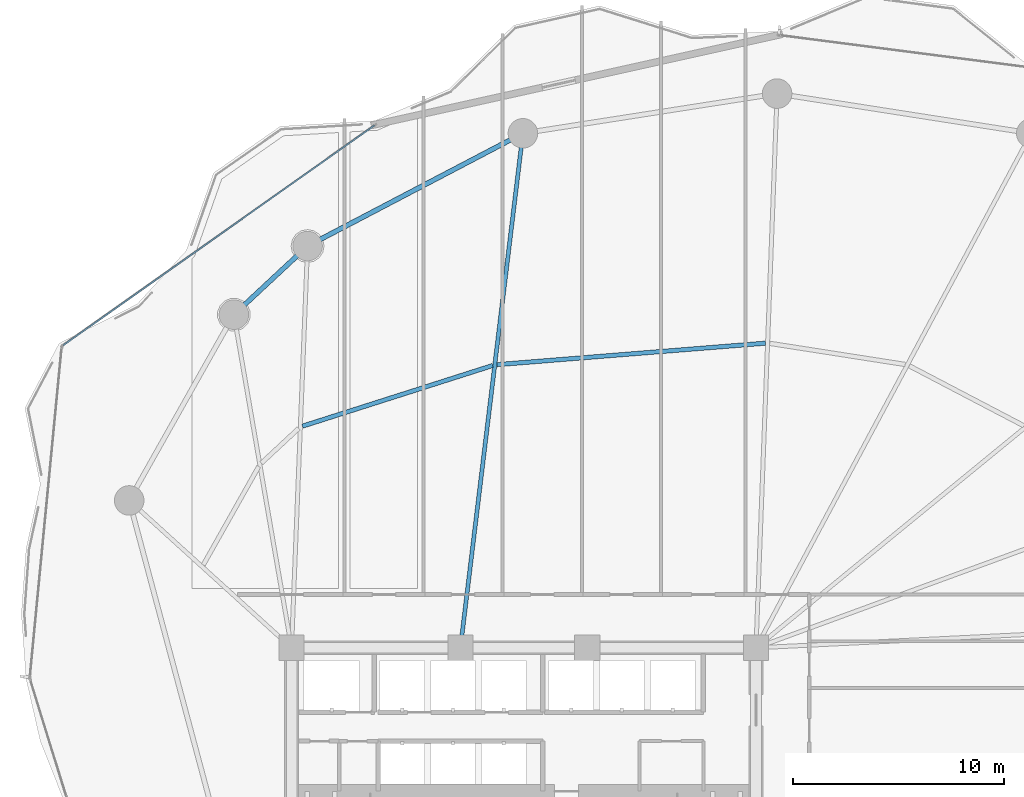
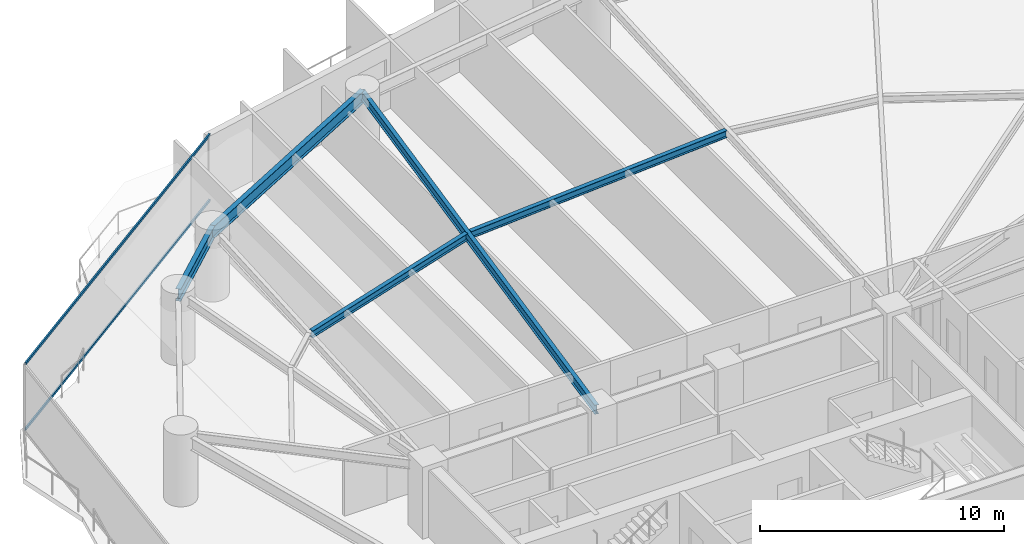
# One storey, part 16 of 32: 5 beams, 2 members, 1 element without a shape of its own.
"""IFC4 building model written with IfcOpenShell, lengths in metres."""

from ifc_helpers import new_model, si_unit, direction, frame, origin, origin_2d, place, context, subcontext, project, spatial, hollow_rectangle, i_section, extrude, material, layer, layer_set, material_profile, profile_set, type_object, element, aggregate, save


model = new_model("IFC4")

# Units and contexts
model_context = context("Model", 3, precision=1e-05, world=origin(), true_north=direction((0.0, 1.0)))
body_context = subcontext(model_context, "Body", "Model", "MODEL_VIEW")
ifc_project = project(units=[si_unit("LENGTHUNIT", "METRE"), si_unit("AREAUNIT", "SQUARE_METRE"), si_unit("VOLUMEUNIT", "CUBIC_METRE"), si_unit("PLANEANGLEUNIT", "RADIAN"), si_unit("MASSUNIT", "GRAM", prefix="KILO")], contexts=[model_context])

# Site, building, storey
site_placement = place(None, origin())
site = spatial("IfcSite", under=ifc_project, at=site_placement, CompositionType="ELEMENT")
building_placement = place(site_placement, origin())
building = spatial("IfcBuilding", under=site, at=building_placement, Name="Kazevale Care Tower and Concert Hall", CompositionType="ELEMENT")
storey_placement = place(building_placement, frame((0.0, 0.0, 38.39990234375)))
storey = spatial("IfcBuildingStorey", under=building, at=storey_placement, Name="L09", CompositionType="ELEMENT", Elevation=38.39990234375)

# Curtain wall, members
ifc_material_1 = material(Name="Aluminium 6063-T6 and Low-E Glass", Category="aluminium")
ifc_layer = layer(ifc_material_1, 0.179931640625)
ifc_layer_set = layer_set([ifc_layer], Name="Aluminium 6063-T6 and Low-E Glass")
curtain_wall_type = type_object("IfcCurtainWallType", Name="Convex Recessed Sunroom Curtain Wall CW-3", PredefinedType="NOTDEFINED", material=ifc_layer_set)
curtain_wall_placement = place(storey_placement, origin())
curtain_wall = element("IfcCurtainWall", 1, at=curtain_wall_placement, inside=storey, type_object=curtain_wall_type, Name="cw:L09:f14", PredefinedType="NOTDEFINED")
ifc_material_2 = material(Name="Aluminium 6063-T6", Category="aluminium")
ifc_material_profile_1 = material_profile(ifc_material_2, hollow_rectangle(XDim=0.074951171875, YDim=0.1201171875, WallThickness=0.00390625, at=origin_2d()), Name="ALU75x120x4")
ifc_profile_set_1 = profile_set([ifc_material_profile_1], Name="Aluminium 6063-T6")
member_type = type_object("IfcMemberType", Name="CW-3 Transom ALU75x120x4", PredefinedType="USERDEFINED", material=ifc_profile_set_1)
member_1_placement = place(storey_placement, frame((11.182373046875, 50.729248046875, 0.03759765625), z_axis=(0.816794743967, 0.576928371835, 0.0), x_axis=(-0.576928371835, 0.816794743967, 0.0)))
member_1 = element("IfcMember", 2, at=member_1_placement, type_object=member_type, Name="CW-3 transom 1.1", ObjectType="TRANSOM", PredefinedType="USERDEFINED", context=body_context, shape_type="SweptSolid", body=[
    extrude(hollow_rectangle(XDim=0.074951171875, YDim=0.1201171875, WallThickness=0.00390625, at=origin_2d()), origin(), (0.0, 0.0, 1.0), 18.060302734375),
])
member_2_placement = place(storey_placement, frame((11.182373046875, 50.729248046875, 3.322509765625), z_axis=(0.816794743967, 0.576928371835, 0.0), x_axis=(-0.576928371835, 0.816794743967, 0.0)))
member_2 = element("IfcMember", 3, at=member_2_placement, type_object=member_type, Name="CW-3 transom 1.2", ObjectType="TRANSOM", PredefinedType="USERDEFINED", context=body_context, shape_type="SweptSolid", body=[
    extrude(hollow_rectangle(XDim=0.074951171875, YDim=0.1201171875, WallThickness=0.00390625, at=origin_2d()), origin(), (0.0, 0.0, 1.0), 18.060302734375),
])
aggregate(curtain_wall, [member_1, member_2])

# Beams
ifc_material_3 = material(Name="Steel ASTM A572 Gr 50", Category="steel")
ifc_material_profile_2 = material_profile(ifc_material_3, i_section(OverallWidth=0.19091796875, OverallDepth=0.4599609375, WebThickness=0.010009765625, FlangeThickness=0.01611328125, at=origin_2d()), Name="W460x82")
ifc_profile_set_2 = profile_set([ifc_material_profile_2], Name="Steel ASTM A572 Gr 50")
beam_type_1 = type_object("IfcBeamType", Name="Radial Floor Beam W460x82", PredefinedType="BEAM", material=ifc_profile_set_2)
beam_1_placement = place(storey_placement, frame((30.0, 36.39990234375, 3.130126953125), z_axis=(0.120572526662, 0.9927045209, 0.0), x_axis=(-0.9927045209, 0.120572526662, 0.0)))
element("IfcBeam", 4, at=beam_1_placement, inside=storey, type_object=beam_type_1, Name="beam:L09:rad:06", PredefinedType="BEAM", context=body_context, shape_type="SweptSolid", body=[
    extrude(i_section(OverallWidth=0.19091796875, OverallDepth=0.4599609375, WebThickness=0.010009765625, FlangeThickness=0.01611328125, at=origin_2d()), origin(), (0.0, 0.0, 1.0), 24.54931640625),
])
ifc_material_profile_3 = material_profile(ifc_material_3, i_section(OverallWidth=0.22900390625, OverallDepth=0.612060546875, WebThickness=0.011962890625, FlangeThickness=0.01953125, at=origin_2d()), Name="W610x125")
ifc_profile_set_3 = profile_set([ifc_material_profile_3], Name="Steel ASTM A572 Gr 50")
beam_type_2 = type_object("IfcBeamType", Name="Ring Spandrel Beam W610x125", PredefinedType="SPANDREL", material=ifc_profile_set_3)
beam_2_placement = place(storey_placement, frame((32.9599609375, 60.77001953125, 3.05419921875), z_axis=(-0.885929466679, -0.463819986708, 0.0), x_axis=(0.463819986708, -0.885929466679, 0.0)))
element("IfcBeam", 5, at=beam_2_placement, inside=storey, type_object=beam_type_2, Name="beam:L09:ring:06", PredefinedType="SPANDREL", context=body_context, shape_type="SweptSolid", body=[
    extrude(i_section(OverallWidth=0.22900390625, OverallDepth=0.612060546875, WebThickness=0.011962890625, FlangeThickness=0.01953125, at=origin_2d()), origin(), (0.0, 0.0, 1.0), 11.51318359375),
])
beam_3_placement = place(storey_placement, frame((22.760009765625, 55.429931640625, 3.05419921875), z_axis=(-0.731820896228, -0.681497010884, 0.0), x_axis=(0.681497010884, -0.731820896228, 0.0)))
element("IfcBeam", 6, at=beam_3_placement, inside=storey, type_object=beam_type_2, Name="beam:L09:ring:07", PredefinedType="SPANDREL", context=body_context, shape_type="SweptSolid", body=[
    extrude(i_section(OverallWidth=0.22900390625, OverallDepth=0.612060546875, WebThickness=0.011962890625, FlangeThickness=0.01953125, at=origin_2d()), origin(), (0.0, 0.0, 1.0), 4.768798828125),
])
ifc_material_profile_4 = material_profile(ifc_material_3, i_section(OverallWidth=0.205078125, OverallDepth=0.35400390625, WebThickness=0.009521484375, FlangeThickness=0.016845703125, at=origin_2d()), Name="W360x79")
ifc_profile_set_4 = profile_set([ifc_material_profile_4], Name="Steel ASTM A572 Gr 50")
beam_type_3 = type_object("IfcBeamType", Name="Secondary Floor Joist W360x79", PredefinedType="JOIST", material=ifc_profile_set_4)
beam_4_placement = place(storey_placement, frame((44.445068359375, 50.8291015625, 3.18310546875), z_axis=(-0.996814548036, -0.079754353015, 0.0), x_axis=(0.079754353015, -0.996814548036, 0.0)))
element("IfcBeam", 7, at=beam_4_placement, inside=storey, type_object=beam_type_3, Name="beam:L09:joist:05", PredefinedType="JOIST", context=body_context, shape_type="SweptSolid", body=[
    extrude(i_section(OverallWidth=0.205078125, OverallDepth=0.35400390625, WebThickness=0.009521484375, FlangeThickness=0.016845703125, at=origin_2d()), origin(), (0.0, 0.0, 1.0), 12.752685546875),
])
beam_5_placement = place(storey_placement, frame((31.528076171875, 49.77197265625, 3.18310546875), z_axis=(-0.9527054955, -0.303895111584, 0.0), x_axis=(0.303895111584, -0.9527054955, 0.0)))
element("IfcBeam", 8, at=beam_5_placement, inside=storey, type_object=beam_type_3, Name="beam:L09:joist:06", PredefinedType="JOIST", context=body_context, shape_type="SweptSolid", body=[
    extrude(i_section(OverallWidth=0.205078125, OverallDepth=0.35400390625, WebThickness=0.009521484375, FlangeThickness=0.016845703125, at=origin_2d()), origin(), (0.0, 0.0, 1.0), 9.457275390625),
])

save(model, "model.ifc")
